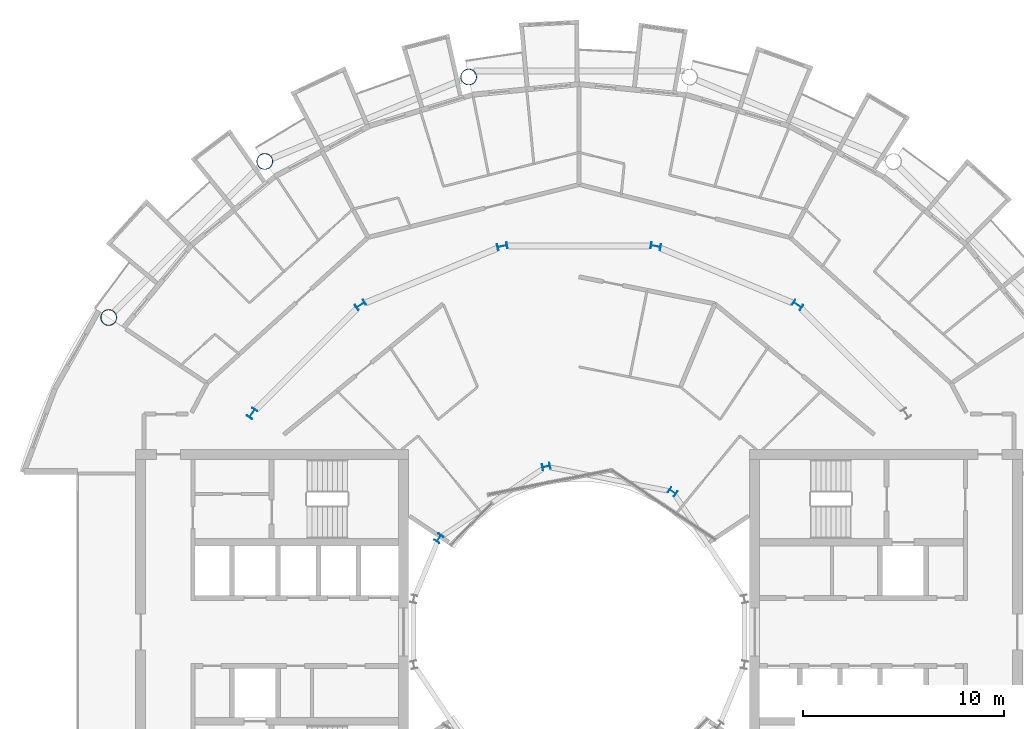
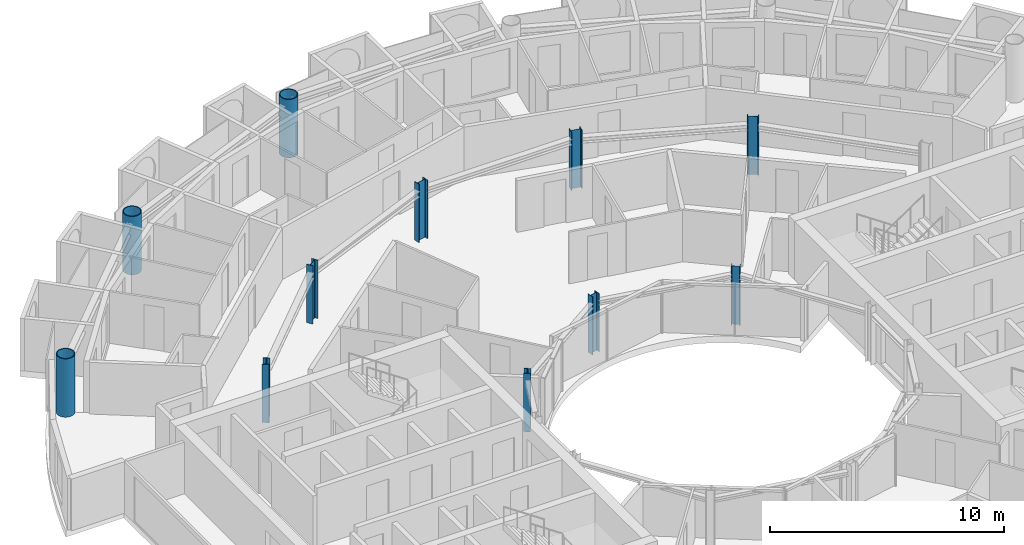
# One storey, part 3 of 27: 11 columns.
"""IFC4 building model written with IfcOpenShell, lengths in metres."""

from ifc_helpers import new_model, si_unit, direction, frame, origin, origin_2d, place, context, subcontext, project, spatial, hollow_circle, i_section, extrude, material, material_profile, profile_set, type_object, element, save


model = new_model("IFC4")

# Units and contexts
model_context = context("Model", 3, precision=1e-05, world=origin(), true_north=direction((0.0, 1.0)))
body_context = subcontext(model_context, "Body", "Model", "MODEL_VIEW")
ifc_project = project(units=[si_unit("LENGTHUNIT", "METRE"), si_unit("AREAUNIT", "SQUARE_METRE"), si_unit("VOLUMEUNIT", "CUBIC_METRE"), si_unit("PLANEANGLEUNIT", "RADIAN"), si_unit("MASSUNIT", "GRAM", prefix="KILO")], contexts=[model_context])

# Site, building, storey
site_placement = place(None, origin())
site = spatial("IfcSite", under=ifc_project, at=site_placement, CompositionType="ELEMENT")
building_placement = place(site_placement, origin())
building = spatial("IfcBuilding", under=site, at=building_placement, Name="Maasbend Ring Residences", CompositionType="ELEMENT")
storey_placement = place(building_placement, frame((0.0, 0.0, 164.64990234375)))
storey = spatial("IfcBuildingStorey", under=building, at=storey_placement, Name="L47", CompositionType="ELEMENT", Elevation=164.64990234375)

# Columns
ifc_material_1 = material(Name="Composite concrete-filled steel tube S460NH / C80/95", Category="concrete")
ifc_material_profile_1 = material_profile(ifc_material_1, hollow_circle(Radius=0.406494140625, WallThickness=0.0400390625, at=origin_2d()), Name="Composite tube column CHS 813x40")
ifc_profile_set_1 = profile_set([ifc_material_profile_1], Name="Composite concrete-filled steel tube S460NH / C80/95")
column_type_1 = type_object("IfcColumnType", Name="Composite tube column CHS 813x40", PredefinedType="COLUMN", material=ifc_profile_set_1)
for number, where, z_axis, x_axis, name in (
    (1, (-5.50146484375, 27.658203125, 0.0), (0.0, 0.0, 1.0), (1.0, 0.0, 0.0), "Outer column R5"),
    (2, (-15.6669921875, 23.447509765625, 0.0), (0.0, 0.0, 1.0), (1.0, 0.0, 0.0), "Outer column R6"),
    (3, (-23.447509765625, 15.6669921875, 0.0), (0.0, 0.0, 1.0), (1.0, 0.0, 0.0), "Outer column R7"),
):
    element("IfcColumn", number, at=place(storey_placement, frame(where, z_axis=z_axis, x_axis=x_axis)), inside=storey, type_object=column_type_1, Name=name, PredefinedType="COLUMN", context=body_context, shape_type="SweptSolid", body=[
        extrude(hollow_circle(Radius=0.406494140625, WallThickness=0.0400390625, at=origin_2d()), origin(), (0.0, 0.0, 1.0), 3.050048828125),
    ])
ifc_material_2 = material(Name="Steel S355J2", Category="steel")
ifc_material_profile_2 = material_profile(ifc_material_2, i_section(OverallWidth=0.300048828125, OverallDepth=0.389892578125, WebThickness=0.010986328125, FlangeThickness=0.01904296875, FilletRadius=0.027099609375, at=origin_2d()), Name="HEA 400")
ifc_profile_set_2 = profile_set([ifc_material_profile_2], Name="Steel S355J2")
column_type_2 = type_object("IfcColumnType", Name="Steel column HEA 400", PredefinedType="COLUMN", material=ifc_profile_set_2)
for number, where, z_axis, x_axis, name in (
    (4, (4.666748046875, 6.984375, 0.0), (0.0, 0.0, 1.0), (0.55557023302, 0.831469612303, 0.0), "Well ring column R3"),
    (5, (-1.638916015625, 8.238525390625, 0.0), (0.0, 0.0, 1.0), (-0.195090322016, 0.980785280403, 0.0), "Well ring column R5"),
    (6, (-6.984375, 4.666748046875, 0.0), (0.0, 0.0, 1.0), (-0.831469612303, 0.55557023302, 0.0), "Well ring column R7"),
):
    element("IfcColumn", number, at=place(storey_placement, frame(where, z_axis=z_axis, x_axis=x_axis)), inside=storey, type_object=column_type_2, Name=name, PredefinedType="COLUMN", context=body_context, shape_type="SweptSolid", body=[
        extrude(i_section(OverallWidth=0.300048828125, OverallDepth=0.389892578125, WebThickness=0.010986328125, FlangeThickness=0.01904296875, FilletRadius=0.027099609375, at=origin_2d()), origin(), (0.0, 0.0, 1.0), 3.050048828125),
    ])
ifc_material_3 = material(Name="Steel S355J2", Category="steel")
ifc_material_profile_3 = material_profile(ifc_material_3, i_section(OverallWidth=0.300048828125, OverallDepth=0.5, WebThickness=0.014404296875, FlangeThickness=0.028076171875, FilletRadius=0.027099609375, at=origin_2d()), Name="HEB 500")
ifc_profile_set_3 = profile_set([ifc_material_profile_3], Name="Steel S355J2")
column_type_3 = type_object("IfcColumnType", Name="Steel column HEB 500", PredefinedType="COLUMN", material=ifc_profile_set_3)
for number, where, z_axis, x_axis, name in (
    (7, (10.88916015625, 16.296875, 0.0), (0.0, 0.0, 1.0), (0.55557023302, 0.831469612303, 0.0), "Corridor ring column R3"),
    (8, (3.82373046875, 19.223388671875, 0.0), (0.0, 0.0, 1.0), (0.195090322016, 0.980785280403, 0.0), "Corridor ring column R4"),
    (9, (-3.82373046875, 19.223388671875, 0.0), (0.0, 0.0, 1.0), (-0.195090322016, 0.980785280403, 0.0), "Corridor ring column R5"),
    (10, (-10.88916015625, 16.296875, 0.0), (0.0, 0.0, 1.0), (-0.55557023302, 0.831469612303, 0.0), "Corridor ring column R6"),
    (11, (-16.296875, 10.88916015625, 0.0), (0.0, 0.0, 1.0), (-0.831469612303, 0.55557023302, 0.0), "Corridor ring column R7"),
):
    element("IfcColumn", number, at=place(storey_placement, frame(where, z_axis=z_axis, x_axis=x_axis)), inside=storey, type_object=column_type_3, Name=name, PredefinedType="COLUMN", context=body_context, shape_type="SweptSolid", body=[
        extrude(i_section(OverallWidth=0.300048828125, OverallDepth=0.5, WebThickness=0.014404296875, FlangeThickness=0.028076171875, FilletRadius=0.027099609375, at=origin_2d()), origin(), (0.0, 0.0, 1.0), 3.050048828125),
    ])

save(model, "model.ifc")
